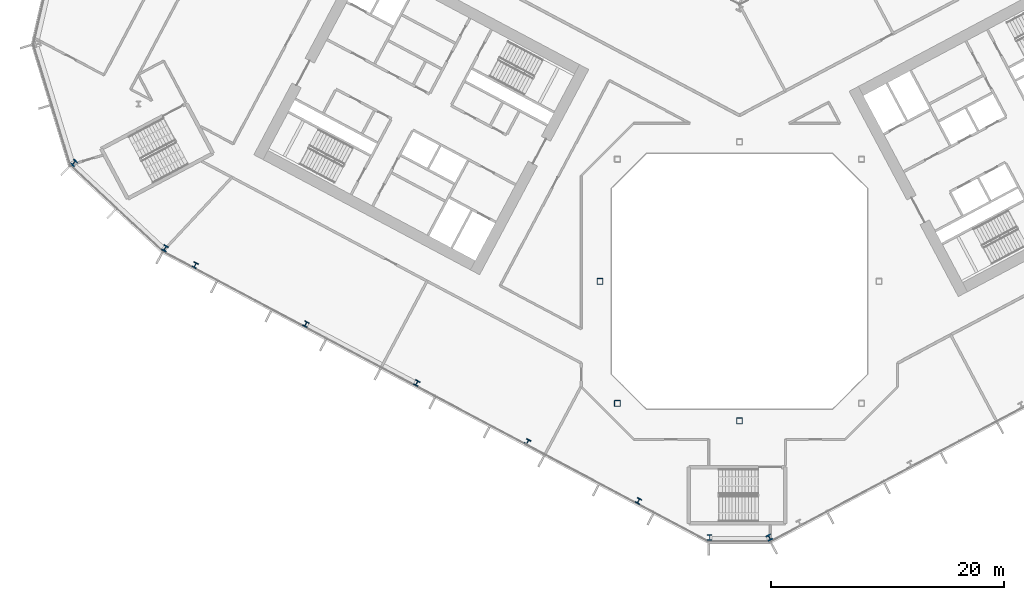
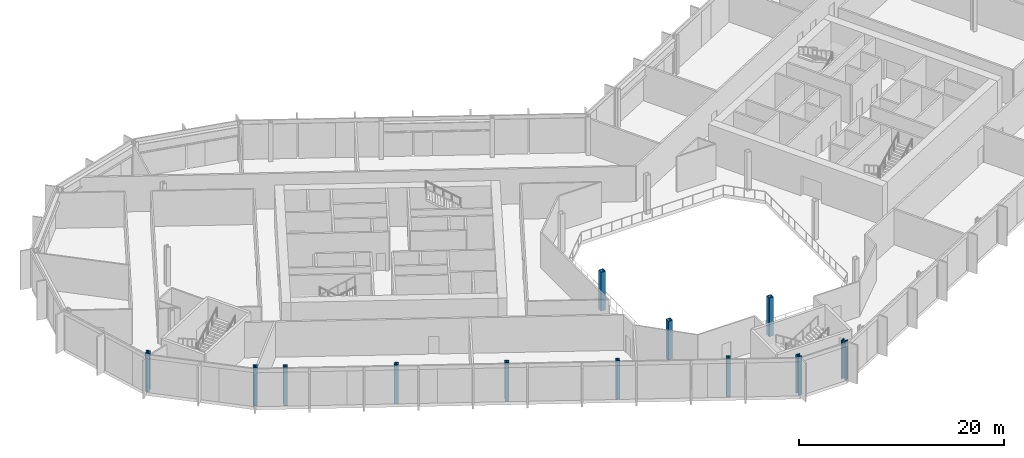
# One storey, part 1 of 31: 12 columns.
"""IFC4 building model written with IfcOpenShell, lengths in metres."""

from ifc_helpers import new_model, si_unit, direction, frame, origin, origin_2d, place, context, subcontext, project, spatial, hollow_rectangle, i_section, extrude, material, material_profile, profile_set, type_object, element, save


model = new_model("IFC4")

# Units and contexts
model_context = context("Model", 3, precision=1e-05, world=origin(), true_north=direction((0.0, 1.0)))
body_context = subcontext(model_context, "Body", "Model", "MODEL_VIEW")
ifc_project = project(units=[si_unit("LENGTHUNIT", "METRE"), si_unit("AREAUNIT", "SQUARE_METRE"), si_unit("VOLUMEUNIT", "CUBIC_METRE"), si_unit("PLANEANGLEUNIT", "RADIAN"), si_unit("MASSUNIT", "GRAM", prefix="KILO")], contexts=[model_context])

# Site, building, storey
site_placement = place(None, origin())
site = spatial("IfcSite", under=ifc_project, at=site_placement, CompositionType="ELEMENT")
building_placement = place(site_placement, origin())
building = spatial("IfcBuilding", under=site, at=building_placement, Name="Cormorant Relay Tower", CompositionType="ELEMENT")
storey_placement = place(building_placement, frame((0.0, 0.0, 103.0)))
storey = spatial("IfcBuildingStorey", under=building, at=storey_placement, Name="L20", CompositionType="ELEMENT", Elevation=103.0)

# Columns
ifc_material_1 = material(Name="Steel ASTM A500 Grade C (Fy 345 MPa)", Category="steel")
ifc_material_profile_1 = material_profile(ifc_material_1, hollow_rectangle(XDim=0.508056640625, YDim=0.508056640625, WallThickness=0.020751953125, InnerFilletRadius=0.01025390625, OuterFilletRadius=0.031005859375, at=origin_2d()), Name="HSS508x508x21")
ifc_profile_set_1 = profile_set([ifc_material_profile_1], Name="Steel ASTM A500 Grade C (Fy 345 MPa)")
column_type_1 = type_object("IfcColumnType", Name="Column HSS508x508x21", PredefinedType="COLUMN", material=ifc_profile_set_1)
for number, where, z_axis, x_axis, name in (
    (1, (0.0, -12.0, 0.0), (0.0, 0.0, 1.0), (1.0, 0.0, 0.0), "Column L20-007"),
    (2, (-10.5, -10.5, 0.0), (0.0, 0.0, 1.0), (1.0, 0.0, 0.0), "Column L20-009"),
    (3, (-12.0, 0.0, 0.0), (0.0, 0.0, 1.0), (1.0, 0.0, 0.0), "Column L20-015"),
):
    element("IfcColumn", number, at=place(storey_placement, frame(where, z_axis=z_axis, x_axis=x_axis)), inside=storey, type_object=column_type_1, Name=name, PredefinedType="COLUMN", context=body_context, shape_type="SweptSolid", body=[
        extrude(hollow_rectangle(XDim=0.508056640625, YDim=0.508056640625, WallThickness=0.020751953125, InnerFilletRadius=0.01025390625, OuterFilletRadius=0.031005859375, at=origin_2d()), origin(), (0.0, 0.0, 1.0), 4.60009765625),
    ])
ifc_material_2 = material(Name="Steel ASTM A992 (Fy 345 MPa)", Category="steel")
ifc_material_profile_2 = material_profile(ifc_material_2, i_section(OverallWidth=0.42431640625, OverallDepth=0.47509765625, WebThickness=0.0478515625, FlangeThickness=0.0771484375, FilletRadius=0.014892578125, at=origin_2d()), Name="W360x634")
ifc_profile_set_2 = profile_set([ifc_material_profile_2], Name="Steel ASTM A992 (Fy 345 MPa)")
column_type_2 = type_object("IfcColumnType", Name="Column W360x634", PredefinedType="COLUMN", material=ifc_profile_set_2)
for number, where, z_axis, x_axis, name in (
    (4, (-8.68701171875, -18.89306640625, 0.0), (0.0, 0.0, 1.0), (0.882947592859, -0.469471562786, 0.0), "Column L20-004"),
    (5, (-18.222900390625, -13.822998046875, 0.0), (0.0, 0.0, 1.0), (0.882947592859, -0.469471562786, 0.0), "Column L20-006"),
    (6, (-27.758056640625, -8.7529296875, 0.0), (0.0, 0.0, 1.0), (0.882947592859, -0.469471562786, 0.0), "Column L20-011"),
    (7, (-37.2939453125, -3.681884765625, 0.0), (0.0, 0.0, 1.0), (0.882947592859, -0.469471562786, 0.0), "Column L20-013"),
    (8, (-46.830078125, 1.387939453125, 0.0), (0.0, 0.0, 1.0), (0.882947592859, -0.469471562786, 0.0), "Column L20-017"),
):
    element("IfcColumn", number, at=place(storey_placement, frame(where, z_axis=z_axis, x_axis=x_axis)), inside=storey, type_object=column_type_2, Name=name, PredefinedType="COLUMN", context=body_context, shape_type="SweptSolid", body=[
        extrude(i_section(OverallWidth=0.42431640625, OverallDepth=0.47509765625, WebThickness=0.0478515625, FlangeThickness=0.0771484375, FilletRadius=0.014892578125, at=origin_2d()), origin(), (0.0, 0.0, 1.0), 4.60009765625),
    ])
ifc_material_3 = material(Name="Steel ASTM A992 (Fy 345 MPa)", Category="steel")
ifc_material_profile_3 = material_profile(ifc_material_3, i_section(OverallWidth=0.43701171875, OverallDepth=0.51318359375, WebThickness=0.060546875, FlangeThickness=0.096923828125, FilletRadius=0.015380859375, at=origin_2d()), Name="W360x818")
ifc_profile_set_3 = profile_set([ifc_material_profile_3], Name="Steel ASTM A992 (Fy 345 MPa)")
column_type_3 = type_object("IfcColumnType", Name="Column W360x818", PredefinedType="COLUMN", material=ifc_profile_set_3)
for number, where, z_axis, x_axis, name in (
    (9, (-2.56689453125, -22.0458984375, 0.0), (0.0, 0.0, 1.0), (1.0, 0.0, 0.0), "Column L20-001"),
    (10, (2.56689453125, -22.0458984375, 0.0), (0.0, 0.0, 1.0), (0.882947592859, 0.469471562786, 0.0), "Column L20-002"),
    (11, (-49.412109375, 2.8369140625, 0.0), (0.0, 0.0, 1.0), (0.882947592859, -0.469471562786, 0.0), "Column L20-018"),
    (12, (-57.2451171875, 10.18310546875, 0.0), (0.0, 0.0, 1.0), (0.731353701619, -0.681998360062, 0.0), "Column L20-021"),
):
    element("IfcColumn", number, at=place(storey_placement, frame(where, z_axis=z_axis, x_axis=x_axis)), inside=storey, type_object=column_type_3, Name=name, PredefinedType="COLUMN", context=body_context, shape_type="SweptSolid", body=[
        extrude(i_section(OverallWidth=0.43701171875, OverallDepth=0.51318359375, WebThickness=0.060546875, FlangeThickness=0.096923828125, FilletRadius=0.015380859375, at=origin_2d()), origin(), (0.0, 0.0, 1.0), 4.60009765625),
    ])

save(model, "model.ifc")
